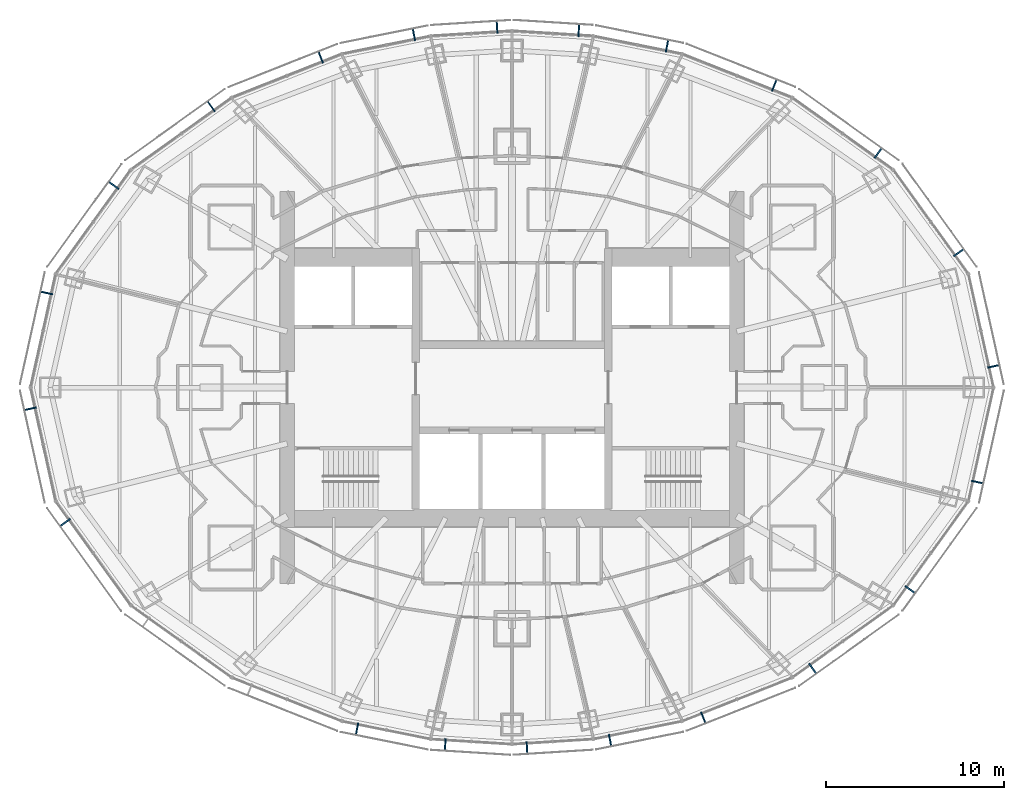
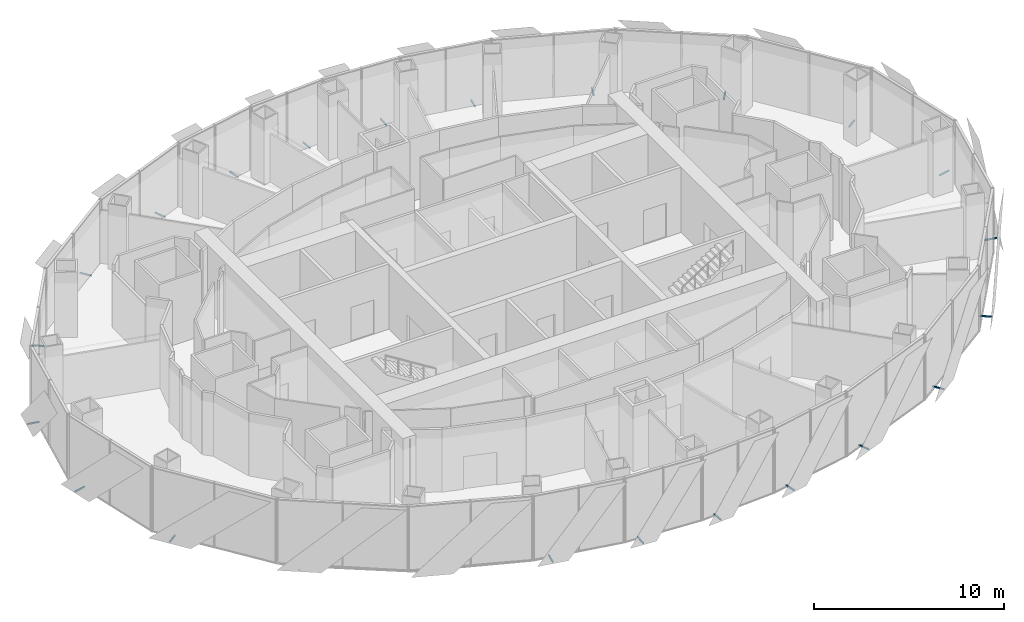
# One storey, part 16 of 19: 22 discrete accessories.
"""IFC4 building model written with IfcOpenShell, lengths in metres."""

from ifc_helpers import new_model, si_unit, direction, frame, origin, origin_2d, place, context, subcontext, project, spatial, rectangle, extrude, element, save


model = new_model("IFC4")

# Units and contexts
model_context = context("Model", 3, precision=1e-05, world=origin(), true_north=direction((0.0, 1.0)))
body_context = subcontext(model_context, "Body", "Model", "MODEL_VIEW")
ifc_project = project(units=[si_unit("LENGTHUNIT", "METRE"), si_unit("AREAUNIT", "SQUARE_METRE"), si_unit("VOLUMEUNIT", "CUBIC_METRE"), si_unit("PLANEANGLEUNIT", "RADIAN"), si_unit("MASSUNIT", "GRAM", prefix="KILO")], contexts=[model_context])

# Site, building, storey
site_placement = place(None, origin())
site = spatial("IfcSite", under=ifc_project, at=site_placement, CompositionType="ELEMENT")
building_placement = place(site_placement, origin())
building = spatial("IfcBuilding", under=site, at=building_placement, Name="Lantaw Convention Tower", CompositionType="ELEMENT")
storey_placement = place(building_placement, frame((0.0, 0.0, 245.199951171875)))
storey = spatial("IfcBuildingStorey", under=building, at=storey_placement, Name="L57", CompositionType="ELEMENT", Elevation=245.199951171875)

# Discrete accessories
for number, where, z_axis, x_axis, name in (
    (1, (27.002197265625, 1.189453125, -0.114990234375), (0.0, 0.0, 1.0), (-0.215891333626, 0.976417396437, 0.0), "Screen bracket"),
    (2, (25.05419921875, 7.564453125, -0.114990234375), (0.0, 0.0, 1.0), (-0.585157643865, 0.810919559405, 0.0), "Screen bracket"),
    (3, (20.524169921875, 13.14453125, -0.114990234375), (0.0, 0.0, 1.0), (-0.813672540482, 0.581323487281, 0.0), "Screen bracket"),
    (4, (14.707763671875, 16.94140625, -0.114990234375), (0.0, 0.0, 1.0), (-0.929761533743, 0.368162315252, 0.0), "Screen bracket"),
    (5, (8.68896484375, 19.145751953125, -0.114990234375), (0.0, 0.0, 1.0), (-0.980366679695, 0.197183095987, 0.0), "Screen bracket"),
    (6, (3.743896484375, 20.024169921875, -0.114990234375), (0.0, 0.0, 1.0), (-0.998028774865, 0.062757983884, 0.0), "Screen bracket"),
    (7, (-0.83984375, 20.206787109375, -0.114990234375), (0.0, 0.0, 1.0), (-0.998028774865, -0.062757983884, 0.0), "Screen bracket"),
    (8, (-5.49853515625, 19.78759765625, -0.114990234375), (0.0, 0.0, 1.0), (-0.980366679695, -0.197183095987, 0.0), "Screen bracket"),
    (9, (-10.7255859375, 18.518310546875, -0.114990234375), (0.0, 0.0, 1.0), (-0.929761533743, -0.368162315252, 0.0), "Screen bracket"),
    (10, (-16.863525390625, 15.759765625, -0.114990234375), (0.0, 0.0, 1.0), (-0.813672540482, -0.581323487281, 0.0), "Screen bracket"),
    (11, (-22.333251953125, 11.3349609375, -0.114990234375), (0.0, 0.0, 1.0), (-0.585157643865, -0.810919559405, 0.0), "Screen bracket"),
    (12, (-26.0927734375, 5.302490234375, -0.114990234375), (0.0, 0.0, 1.0), (-0.215891333626, -0.976417396437, 0.0), "Screen bracket"),
    (13, (-27.002197265625, -1.189453125, -0.114990234375), (0.0, 0.0, 1.0), (0.215891333626, -0.976417396437, 0.0), "Screen bracket"),
    (14, (-25.05419921875, -7.564453125, -0.114990234375), (0.0, 0.0, 1.0), (0.585157643865, -0.810919559405, 0.0), "Screen bracket"),
    (15, (-8.68896484375, -19.145751953125, -0.114990234375), (0.0, 0.0, 1.0), (0.980366679695, -0.197183095987, 0.0), "Screen bracket"),
    (16, (-3.743896484375, -20.024169921875, -0.114990234375), (0.0, 0.0, 1.0), (0.998028774865, -0.062757983884, 0.0), "Screen bracket"),
    (17, (0.83984375, -20.206787109375, -0.114990234375), (0.0, 0.0, 1.0), (0.998028774865, 0.062757983884, 0.0), "Screen bracket"),
    (18, (5.49853515625, -19.78759765625, -0.114990234375), (0.0, 0.0, 1.0), (0.980366679695, 0.197183095987, 0.0), "Screen bracket"),
    (19, (10.7255859375, -18.518310546875, -0.114990234375), (0.0, 0.0, 1.0), (0.929761533743, 0.368162315252, 0.0), "Screen bracket"),
    (20, (16.863525390625, -15.759765625, -0.114990234375), (0.0, 0.0, 1.0), (0.813672540482, 0.581323487281, 0.0), "Screen bracket"),
    (21, (22.333251953125, -11.3349609375, -0.114990234375), (0.0, 0.0, 1.0), (0.585157643865, 0.810919559405, 0.0), "Screen bracket"),
    (22, (26.0927734375, -5.302490234375, -0.114990234375), (0.0, 0.0, 1.0), (0.215891333626, 0.976417396437, 0.0), "Screen bracket"),
):
    element("IfcDiscreteAccessory", number, at=place(storey_placement, frame(where, z_axis=z_axis, x_axis=x_axis)), inside=storey, Name=name, PredefinedType="BRACKET", context=body_context, shape_type="SweptSolid", body=[
        extrude(rectangle(XDim=0.080078125, YDim=0.68798828125, at=origin_2d()), origin(), (0.0, 0.0, 1.0), 0.080078125),
    ])

save(model, "model.ifc")
